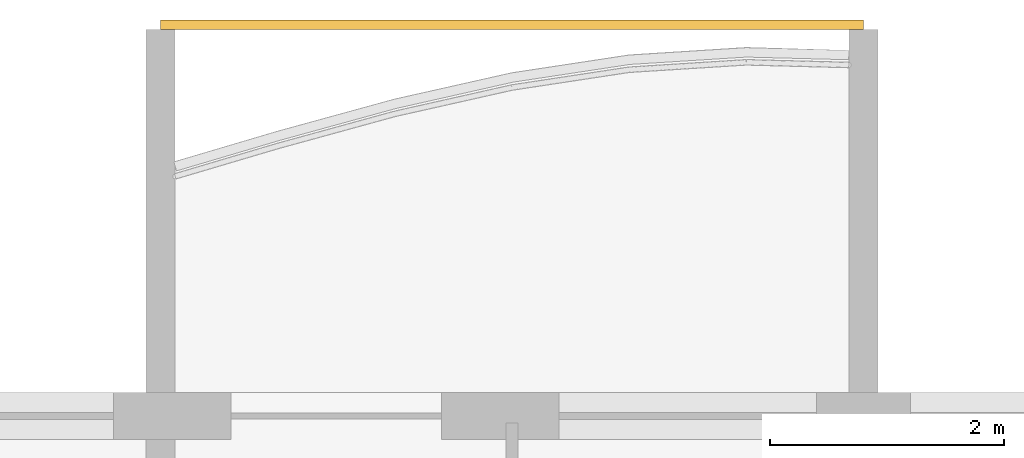
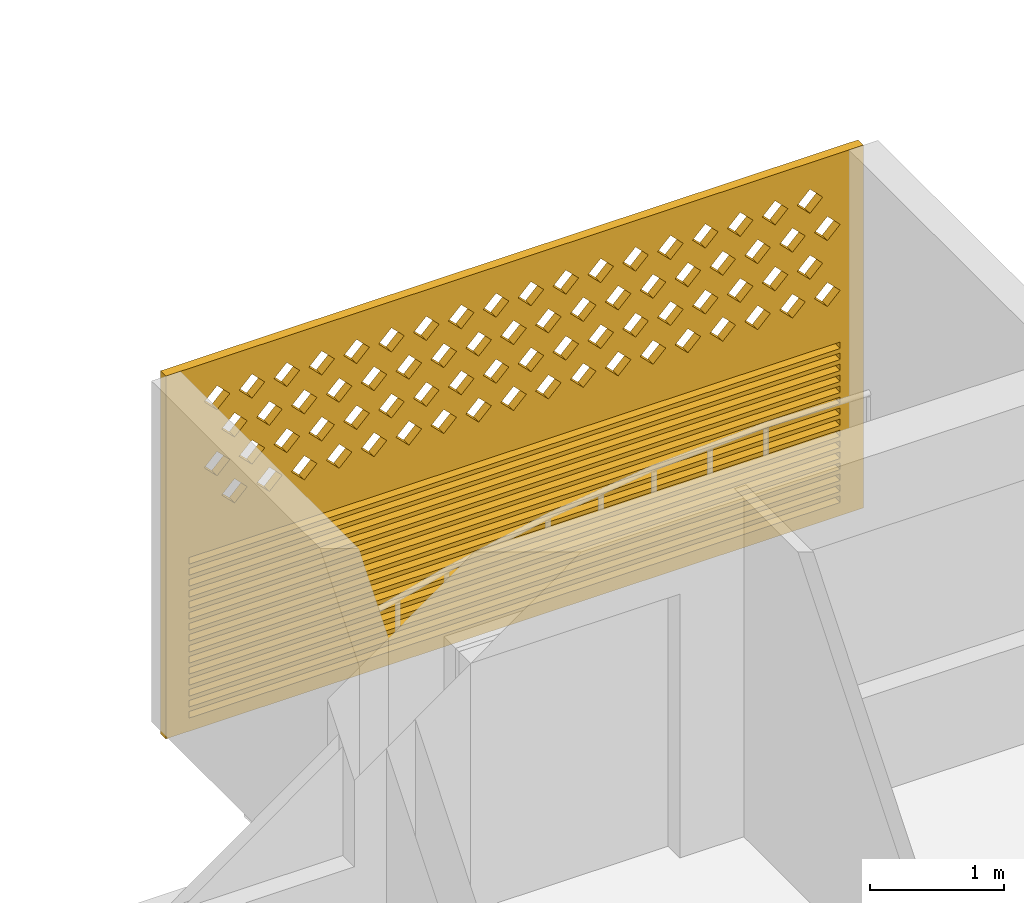
# One storey, part 18 of 26: 1 covering.
"""IFC4 building model written with IfcOpenShell, lengths in metres."""

import ifcopenshell
import ifcopenshell.guid

model = None  # the IFC model being written
_history = None  # IfcOwnerHistory: only IFC2X3 demands one
_inside = {}  # id of a spatial element -> (the spatial element, [elements in it])
_under = {}  # id of a project, library or spatial element -> (it, [spatial elements below it])
_declared = {}  # id of a project -> (the project, [libraries it declares])
_typed = {}  # id of a type object -> (the type object, [elements of that type])
_made_of = {}  # id of a material, layer set ... -> (it, [elements and type objects made of it])


def new_model(schema):
    """Start an empty IFC model of exactly this schema.

    Asked for "IFC4X3", IfcOpenShell would pick the latest addendum, in which some entities
    have other attributes; the version numbers below select the first issue.
    IFC2X3 requires an IfcOwnerHistory on every rooted entity: one is made here for all.
    """
    global model, _history
    if schema == "IFC4X3":
        model = ifcopenshell.file(schema_version=(4, 3, 0, 0))
    else:
        model = ifcopenshell.file(schema=schema)
    _inside.clear()
    _under.clear()
    _declared.clear()
    _typed.clear()
    _made_of.clear()
    _history = None
    if model.schema == "IFC2X3":
        org = make("IfcOrganization", Name="unknown")
        user = make(
            "IfcPersonAndOrganization",
            ThePerson=make("IfcPerson", FamilyName="unknown"),
            TheOrganization=org,
        )
        app = make(
            "IfcApplication",
            ApplicationDeveloper=org,
            Version="unknown",
            ApplicationFullName="unknown",
            ApplicationIdentifier="unknown",
        )
        _history = make(
            "IfcOwnerHistory",
            OwningUser=user,
            OwningApplication=app,
            ChangeAction="ADDED",
            CreationDate=0,
        )
    return model


def make(cls, **values):
    """One entity of the class cls with the attributes given. An attribute that is None is left unset."""
    return model.create_entity(
        cls, **{name: value for name, value in values.items() if value is not None}
    )


def rooted(cls, **values):
    """An entity with a GlobalId (a new one), such as an element, a storey or a relation."""
    return make(cls, GlobalId=ifcopenshell.guid.new(), OwnerHistory=_history, **values)


def si_unit(unit_type, name, prefix=None):
    """IfcSIUnit, for example si_unit("LENGTHUNIT", "METRE", prefix="MILLI")."""
    return make("IfcSIUnit", UnitType=unit_type, Prefix=prefix, Name=name)


def assignment(units):
    """IfcUnitAssignment: the units of a project."""
    return None if units is None else make("IfcUnitAssignment", Units=units)


def point(xyz):
    """IfcCartesianPoint."""
    return None if xyz is None else make("IfcCartesianPoint", Coordinates=xyz)


def direction(xyz):
    """IfcDirection."""
    return None if xyz is None else make("IfcDirection", DirectionRatios=xyz)


def frame(location, z_axis=None, x_axis=None):
    """IfcAxis2Placement3D, a coordinate frame: its origin and axes. An axis left out is left unset."""
    return make(
        "IfcAxis2Placement3D",
        Location=point(location),
        Axis=direction(z_axis),
        RefDirection=direction(x_axis),
    )


def origin():
    """The frame at (0, 0, 0) with its axes left unset."""
    return frame((0.0, 0.0, 0.0))


def place(relative_to, where):
    """IfcLocalPlacement: puts the frame where relative to a parent placement (None: the world)."""
    return make(
        "IfcLocalPlacement", PlacementRelTo=relative_to, RelativePlacement=where
    )


def context(
    kind, dimensions, precision=None, world=None, true_north=None, identifier=None
):
    """IfcGeometricRepresentationContext, for example the 3D "Model" context."""
    return make(
        "IfcGeometricRepresentationContext",
        ContextIdentifier=identifier,
        ContextType=kind,
        CoordinateSpaceDimension=dimensions,
        Precision=precision,
        WorldCoordinateSystem=world,
        TrueNorth=true_north,
    )


def subcontext(parent, identifier, kind, view, scale=None):
    """IfcGeometricRepresentationSubContext, for example "Body" below "Model"."""
    return make(
        "IfcGeometricRepresentationSubContext",
        ContextIdentifier=identifier,
        ContextType=kind,
        ParentContext=parent,
        TargetScale=scale,
        TargetView=view,
    )


def project(units=None, contexts=None):
    """IfcProject with its units and contexts."""
    return rooted(
        "IfcProject",
        Name="project",
        RepresentationContexts=contexts,
        UnitsInContext=assignment(units),
    )


def spatial(cls, under=None, at=None, **own):
    """A site, building, storey or space (cls), placed at a placement, below another one or the project."""
    s = rooted(cls, ObjectPlacement=at, **own)
    if under is not None:
        _under.setdefault(under.id(), (under, []))[1].append(s)
    return s


def polyline(points):
    """IfcPolyline through the points."""
    return make("IfcPolyline", Points=[point(p) for p in points])


def outline(outer, holes=None, kind="AREA"):
    """IfcArbitraryClosedProfileDef: a profile drawn as a closed curve; with holes, ...WithVoids."""
    if holes is None:
        return make("IfcArbitraryClosedProfileDef", ProfileType=kind, OuterCurve=outer)
    return make(
        "IfcArbitraryProfileDefWithVoids",
        ProfileType=kind,
        OuterCurve=outer,
        InnerCurves=holes,
    )


def extrude(swept, where, along, depth):
    """IfcExtrudedAreaSolid: the profile swept, set in the frame where, extruded along a direction by depth."""
    return make(
        "IfcExtrudedAreaSolid",
        SweptArea=swept,
        Position=where,
        ExtrudedDirection=direction(along),
        Depth=depth,
    )


def shape(context_of_items, identifier, shape_type, items):
    """IfcShapeRepresentation: the items that make up one representation, for example the "Body"."""
    return make(
        "IfcShapeRepresentation",
        ContextOfItems=context_of_items,
        RepresentationIdentifier=identifier,
        RepresentationType=shape_type,
        Items=items,
    )


def source(mapping_origin, context_of_items, identifier, shape_type, items):
    """IfcRepresentationMap: a shape defined once, which mapped items show again and again."""
    return make(
        "IfcRepresentationMap",
        MappingOrigin=mapping_origin,
        MappedRepresentation=shape(context_of_items, identifier, shape_type, items),
    )


def transform(
    local_origin,
    x_axis=None,
    y_axis=None,
    z_axis=None,
    scale=None,
    scale2=None,
    scale3=None,
    uniform=True,
):
    """IfcCartesianTransformationOperator3D, or its non-uniform kind. x_axis, y_axis, z_axis: its Axis1, 2, 3."""
    if uniform:
        return make(
            "IfcCartesianTransformationOperator3D",
            Axis1=direction(x_axis),
            Axis2=direction(y_axis),
            LocalOrigin=point(local_origin),
            Scale=scale,
            Axis3=direction(z_axis),
        )
    return make(
        "IfcCartesianTransformationOperator3DnonUniform",
        Axis1=direction(x_axis),
        Axis2=direction(y_axis),
        LocalOrigin=point(local_origin),
        Scale=scale,
        Axis3=direction(z_axis),
        Scale2=scale2,
        Scale3=scale3,
    )


def mapped(mapping_source, mapping_target):
    """IfcMappedItem: shows the shape of a source again, moved by a transform."""
    return make(
        "IfcMappedItem", MappingSource=mapping_source, MappingTarget=mapping_target
    )


def material(Name=None, Category=None):
    """IfcMaterial."""
    return make("IfcMaterial", Name=Name, Category=Category)


def material_profile(
    of_material, cross_section, Name=None, Category=None, Priority=None
):
    """IfcMaterialProfile: a cross section and its material."""
    return make(
        "IfcMaterialProfile",
        Name=Name,
        Material=of_material,
        Profile=cross_section,
        Priority=Priority,
        Category=Category,
    )


def profile_set(profiles, Name=None, composite=None):
    """IfcMaterialProfileSet."""
    return make(
        "IfcMaterialProfileSet",
        Name=Name,
        MaterialProfiles=profiles,
        CompositeProfile=composite,
    )


def made_of(thing, what):
    """Note that an element or type object is made of a material, layer set ...; save() writes the relation."""
    if what is not None:
        _made_of.setdefault(what.id(), (what, []))[1].append(thing)
    return thing


def type_object(cls, material=None, **own):
    """A type object (cls), such as IfcWallType, which elements share."""
    return made_of(rooted(cls, **own), material)


def element(
    cls,
    number,
    at=None,
    inside=None,
    cuts=None,
    type_object=None,
    material=None,
    context=None,
    identifier="Body",
    shape_type=None,
    held_by="IfcProductDefinitionShape",
    body=None,
    shapes=None,
    **own,
):
    """One element of the class cls, such as IfcWall. Its Tag is "e" and its number.

    at: its placement. inside: the storey or other place that contains it. cuts: it is an
    opening in that element (IfcRelVoidsElement). A single representation is given by context,
    identifier, shape_type and body (its items); several are given by shapes. held_by: the class
    of the entity that holds the representations. save() writes the other relations.
    """
    e = rooted(cls, Tag="e%d" % number, ObjectPlacement=at, **own)
    if body is not None:
        shapes = [shape(context, identifier, shape_type, body)]
    if shapes is not None:
        e.Representation = make(held_by, Representations=shapes)
    if inside is not None:
        _inside.setdefault(inside.id(), (inside, []))[1].append(e)
    if cuts is not None:
        rooted(
            "IfcRelVoidsElement", RelatingBuildingElement=cuts, RelatedOpeningElement=e
        )
    if type_object is not None:
        _typed.setdefault(type_object.id(), (type_object, []))[1].append(e)
    return made_of(e, material)


def aggregate(whole, parts):
    """IfcRelAggregates: a whole, such as a stair, and the parts it consists of."""
    return rooted("IfcRelAggregates", RelatingObject=whole, RelatedObjects=parts)


def save(model, path):
    """Write the relations noted so far, then the file.

    IfcRelAggregates (storeys below a building ...), IfcRelContainedInSpatialStructure (elements
    in a storey), IfcRelDefinesByType, IfcRelAssociatesMaterial and IfcRelDeclares: one each for
    every whole, place, type object, material and project.
    """
    for whole, parts in _under.values():
        aggregate(whole, parts)
    for where, things in _inside.values():
        rooted(
            "IfcRelContainedInSpatialStructure",
            RelatedElements=things,
            RelatingStructure=where,
        )
    for kind, things in _typed.values():
        rooted("IfcRelDefinesByType", RelatedObjects=things, RelatingType=kind)
    for what, things in _made_of.values():
        rooted("IfcRelAssociatesMaterial", RelatedObjects=things, RelatingMaterial=what)
    for by, libraries in _declared.values():
        rooted("IfcRelDeclares", RelatingContext=by, RelatedDefinitions=libraries)
    model.write(path)


model = new_model("IFC4")

# Units and contexts
model_context = context("Model", 3, precision=1e-05, world=origin(), true_north=direction((0.0, 1.0)))
body_context = subcontext(model_context, "Body", "Model", "MODEL_VIEW")
ifc_project = project(units=[si_unit("LENGTHUNIT", "METRE"), si_unit("AREAUNIT", "SQUARE_METRE"), si_unit("VOLUMEUNIT", "CUBIC_METRE"), si_unit("PLANEANGLEUNIT", "RADIAN"), si_unit("MASSUNIT", "GRAM", prefix="KILO")], contexts=[model_context])

# Site, building, storey
site_placement = place(None, origin())
site = spatial("IfcSite", under=ifc_project, at=site_placement, CompositionType="ELEMENT")
building_placement = place(site_placement, origin())
building = spatial("IfcBuilding", under=site, at=building_placement, Name="Poui Terraces", CompositionType="ELEMENT")
storey_placement = place(building_placement, frame((0.0, 0.0, 175.199951171875)))
storey = spatial("IfcBuildingStorey", under=building, at=storey_placement, Name="L48", CompositionType="ELEMENT", Elevation=175.199951171875)

# Covering
ifc_material = material(Name="Terracotta screen", Category="masonry")
ifc_material_profile = material_profile(ifc_material, outline(polyline([(-3.0, -1.64990234375), (3.0, -1.64990234375), (3.0, 1.64990234375), (-3.0, 1.64990234375), (-3.0, -1.64990234375)]), holes=[polyline([(-2.800048828125, 0.39990234375), (-2.68994140625, 0.2900390625), (-2.580078125, 0.39990234375), (-2.68994140625, 0.510009765625), (-2.800048828125, 0.39990234375)]), polyline([(-2.5, 0.39990234375), (-2.389892578125, 0.2900390625), (-2.280029296875, 0.39990234375), (-2.389892578125, 0.510009765625), (-2.5, 0.39990234375)]), polyline([(-2.199951171875, 0.39990234375), (-2.090087890625, 0.2900390625), (-1.97998046875, 0.39990234375), (-2.090087890625, 0.510009765625), (-2.199951171875, 0.39990234375)]), polyline([(-1.89990234375, 0.39990234375), (-1.7900390625, 0.2900390625), (-1.679931640625, 0.39990234375), (-1.7900390625, 0.510009765625), (-1.89990234375, 0.39990234375)]), polyline([(-1.60009765625, 0.39990234375), (-1.489990234375, 0.2900390625), (-1.3798828125, 0.39990234375), (-1.489990234375, 0.510009765625), (-1.60009765625, 0.39990234375)]), polyline([(-1.300048828125, 0.39990234375), (-1.18994140625, 0.2900390625), (-1.080078125, 0.39990234375), (-1.18994140625, 0.510009765625), (-1.300048828125, 0.39990234375)]), polyline([(-1.0, 0.39990234375), (-0.889892578125, 0.2900390625), (-0.780029296875, 0.39990234375), (-0.889892578125, 0.510009765625), (-1.0, 0.39990234375)]), polyline([(-0.699951171875, 0.39990234375), (-0.590087890625, 0.2900390625), (-0.47998046875, 0.39990234375), (-0.590087890625, 0.510009765625), (-0.699951171875, 0.39990234375)]), polyline([(-0.39990234375, 0.39990234375), (-0.2900390625, 0.2900390625), (-0.179931640625, 0.39990234375), (-0.2900390625, 0.510009765625), (-0.39990234375, 0.39990234375)]), polyline([(-0.10009765625, 0.39990234375), (0.010009765625, 0.2900390625), (0.1201171875, 0.39990234375), (0.010009765625, 0.510009765625), (-0.10009765625, 0.39990234375)]), polyline([(0.199951171875, 0.39990234375), (0.31005859375, 0.2900390625), (0.419921875, 0.39990234375), (0.31005859375, 0.510009765625), (0.199951171875, 0.39990234375)]), polyline([(0.5, 0.39990234375), (0.610107421875, 0.2900390625), (0.719970703125, 0.39990234375), (0.610107421875, 0.510009765625), (0.5, 0.39990234375)]), polyline([(0.800048828125, 0.39990234375), (0.909912109375, 0.2900390625), (1.02001953125, 0.39990234375), (0.909912109375, 0.510009765625), (0.800048828125, 0.39990234375)]), polyline([(1.10009765625, 0.39990234375), (1.2099609375, 0.2900390625), (1.320068359375, 0.39990234375), (1.2099609375, 0.510009765625), (1.10009765625, 0.39990234375)]), polyline([(1.39990234375, 0.39990234375), (1.510009765625, 0.2900390625), (1.6201171875, 0.39990234375), (1.510009765625, 0.510009765625), (1.39990234375, 0.39990234375)]), polyline([(1.699951171875, 0.39990234375), (1.81005859375, 0.2900390625), (1.919921875, 0.39990234375), (1.81005859375, 0.510009765625), (1.699951171875, 0.39990234375)]), polyline([(2.0, 0.39990234375), (2.110107421875, 0.2900390625), (2.219970703125, 0.39990234375), (2.110107421875, 0.510009765625), (2.0, 0.39990234375)]), polyline([(2.300048828125, 0.39990234375), (2.409912109375, 0.2900390625), (2.52001953125, 0.39990234375), (2.409912109375, 0.510009765625), (2.300048828125, 0.39990234375)]), polyline([(-2.64990234375, 0.699951171875), (-2.5400390625, 0.590087890625), (-2.429931640625, 0.699951171875), (-2.5400390625, 0.81005859375), (-2.64990234375, 0.699951171875)]), polyline([(-2.35009765625, 0.699951171875), (-2.239990234375, 0.590087890625), (-2.1298828125, 0.699951171875), (-2.239990234375, 0.81005859375), (-2.35009765625, 0.699951171875)]), polyline([(-2.050048828125, 0.699951171875), (-1.93994140625, 0.590087890625), (-1.830078125, 0.699951171875), (-1.93994140625, 0.81005859375), (-2.050048828125, 0.699951171875)]), polyline([(-1.75, 0.699951171875), (-1.639892578125, 0.590087890625), (-1.530029296875, 0.699951171875), (-1.639892578125, 0.81005859375), (-1.75, 0.699951171875)]), polyline([(-1.449951171875, 0.699951171875), (-1.340087890625, 0.590087890625), (-1.22998046875, 0.699951171875), (-1.340087890625, 0.81005859375), (-1.449951171875, 0.699951171875)]), polyline([(-1.14990234375, 0.699951171875), (-1.0400390625, 0.590087890625), (-0.929931640625, 0.699951171875), (-1.0400390625, 0.81005859375), (-1.14990234375, 0.699951171875)]), polyline([(-0.85009765625, 0.699951171875), (-0.739990234375, 0.590087890625), (-0.6298828125, 0.699951171875), (-0.739990234375, 0.81005859375), (-0.85009765625, 0.699951171875)]), polyline([(-0.550048828125, 0.699951171875), (-0.43994140625, 0.590087890625), (-0.330078125, 0.699951171875), (-0.43994140625, 0.81005859375), (-0.550048828125, 0.699951171875)]), polyline([(-0.25, 0.699951171875), (-0.139892578125, 0.590087890625), (-0.030029296875, 0.699951171875), (-0.139892578125, 0.81005859375), (-0.25, 0.699951171875)]), polyline([(0.050048828125, 0.699951171875), (0.159912109375, 0.590087890625), (0.27001953125, 0.699951171875), (0.159912109375, 0.81005859375), (0.050048828125, 0.699951171875)]), polyline([(0.35009765625, 0.699951171875), (0.4599609375, 0.590087890625), (0.570068359375, 0.699951171875), (0.4599609375, 0.81005859375), (0.35009765625, 0.699951171875)]), polyline([(0.64990234375, 0.699951171875), (0.760009765625, 0.590087890625), (0.8701171875, 0.699951171875), (0.760009765625, 0.81005859375), (0.64990234375, 0.699951171875)]), polyline([(0.949951171875, 0.699951171875), (1.06005859375, 0.590087890625), (1.169921875, 0.699951171875), (1.06005859375, 0.81005859375), (0.949951171875, 0.699951171875)]), polyline([(1.25, 0.699951171875), (1.360107421875, 0.590087890625), (1.469970703125, 0.699951171875), (1.360107421875, 0.81005859375), (1.25, 0.699951171875)]), polyline([(1.550048828125, 0.699951171875), (1.659912109375, 0.590087890625), (1.77001953125, 0.699951171875), (1.659912109375, 0.81005859375), (1.550048828125, 0.699951171875)]), polyline([(1.85009765625, 0.699951171875), (1.9599609375, 0.590087890625), (2.070068359375, 0.699951171875), (1.9599609375, 0.81005859375), (1.85009765625, 0.699951171875)]), polyline([(2.14990234375, 0.699951171875), (2.260009765625, 0.590087890625), (2.3701171875, 0.699951171875), (2.260009765625, 0.81005859375), (2.14990234375, 0.699951171875)]), polyline([(2.449951171875, 0.699951171875), (2.56005859375, 0.590087890625), (2.669921875, 0.699951171875), (2.56005859375, 0.81005859375), (2.449951171875, 0.699951171875)]), polyline([(-2.800048828125, 1.0), (-2.68994140625, 0.889892578125), (-2.580078125, 1.0), (-2.68994140625, 1.110107421875), (-2.800048828125, 1.0)]), polyline([(-2.5, 1.0), (-2.389892578125, 0.889892578125), (-2.280029296875, 1.0), (-2.389892578125, 1.110107421875), (-2.5, 1.0)]), polyline([(-2.199951171875, 1.0), (-2.090087890625, 0.889892578125), (-1.97998046875, 1.0), (-2.090087890625, 1.110107421875), (-2.199951171875, 1.0)]), polyline([(-1.89990234375, 1.0), (-1.7900390625, 0.889892578125), (-1.679931640625, 1.0), (-1.7900390625, 1.110107421875), (-1.89990234375, 1.0)]), polyline([(-1.60009765625, 1.0), (-1.489990234375, 0.889892578125), (-1.3798828125, 1.0), (-1.489990234375, 1.110107421875), (-1.60009765625, 1.0)]), polyline([(-1.300048828125, 1.0), (-1.18994140625, 0.889892578125), (-1.080078125, 1.0), (-1.18994140625, 1.110107421875), (-1.300048828125, 1.0)]), polyline([(-1.0, 1.0), (-0.889892578125, 0.889892578125), (-0.780029296875, 1.0), (-0.889892578125, 1.110107421875), (-1.0, 1.0)]), polyline([(-0.699951171875, 1.0), (-0.590087890625, 0.889892578125), (-0.47998046875, 1.0), (-0.590087890625, 1.110107421875), (-0.699951171875, 1.0)]), polyline([(-0.39990234375, 1.0), (-0.2900390625, 0.889892578125), (-0.179931640625, 1.0), (-0.2900390625, 1.110107421875), (-0.39990234375, 1.0)]), polyline([(-0.10009765625, 1.0), (0.010009765625, 0.889892578125), (0.1201171875, 1.0), (0.010009765625, 1.110107421875), (-0.10009765625, 1.0)]), polyline([(0.199951171875, 1.0), (0.31005859375, 0.889892578125), (0.419921875, 1.0), (0.31005859375, 1.110107421875), (0.199951171875, 1.0)]), polyline([(0.5, 1.0), (0.610107421875, 0.889892578125), (0.719970703125, 1.0), (0.610107421875, 1.110107421875), (0.5, 1.0)]), polyline([(0.800048828125, 1.0), (0.909912109375, 0.889892578125), (1.02001953125, 1.0), (0.909912109375, 1.110107421875), (0.800048828125, 1.0)]), polyline([(1.10009765625, 1.0), (1.2099609375, 0.889892578125), (1.320068359375, 1.0), (1.2099609375, 1.110107421875), (1.10009765625, 1.0)]), polyline([(1.39990234375, 1.0), (1.510009765625, 0.889892578125), (1.6201171875, 1.0), (1.510009765625, 1.110107421875), (1.39990234375, 1.0)]), polyline([(1.699951171875, 1.0), (1.81005859375, 0.889892578125), (1.919921875, 1.0), (1.81005859375, 1.110107421875), (1.699951171875, 1.0)]), polyline([(2.0, 1.0), (2.110107421875, 0.889892578125), (2.219970703125, 1.0), (2.110107421875, 1.110107421875), (2.0, 1.0)]), polyline([(2.300048828125, 1.0), (2.409912109375, 0.889892578125), (2.52001953125, 1.0), (2.409912109375, 1.110107421875), (2.300048828125, 1.0)]), polyline([(-2.64990234375, 1.300048828125), (-2.5400390625, 1.18994140625), (-2.429931640625, 1.300048828125), (-2.5400390625, 1.409912109375), (-2.64990234375, 1.300048828125)]), polyline([(-2.35009765625, 1.300048828125), (-2.239990234375, 1.18994140625), (-2.1298828125, 1.300048828125), (-2.239990234375, 1.409912109375), (-2.35009765625, 1.300048828125)]), polyline([(-2.050048828125, 1.300048828125), (-1.93994140625, 1.18994140625), (-1.830078125, 1.300048828125), (-1.93994140625, 1.409912109375), (-2.050048828125, 1.300048828125)]), polyline([(-1.75, 1.300048828125), (-1.639892578125, 1.18994140625), (-1.530029296875, 1.300048828125), (-1.639892578125, 1.409912109375), (-1.75, 1.300048828125)]), polyline([(-1.449951171875, 1.300048828125), (-1.340087890625, 1.18994140625), (-1.22998046875, 1.300048828125), (-1.340087890625, 1.409912109375), (-1.449951171875, 1.300048828125)]), polyline([(-1.14990234375, 1.300048828125), (-1.0400390625, 1.18994140625), (-0.929931640625, 1.300048828125), (-1.0400390625, 1.409912109375), (-1.14990234375, 1.300048828125)]), polyline([(-0.85009765625, 1.300048828125), (-0.739990234375, 1.18994140625), (-0.6298828125, 1.300048828125), (-0.739990234375, 1.409912109375), (-0.85009765625, 1.300048828125)]), polyline([(-0.550048828125, 1.300048828125), (-0.43994140625, 1.18994140625), (-0.330078125, 1.300048828125), (-0.43994140625, 1.409912109375), (-0.550048828125, 1.300048828125)]), polyline([(-0.25, 1.300048828125), (-0.139892578125, 1.18994140625), (-0.030029296875, 1.300048828125), (-0.139892578125, 1.409912109375), (-0.25, 1.300048828125)]), polyline([(0.050048828125, 1.300048828125), (0.159912109375, 1.18994140625), (0.27001953125, 1.300048828125), (0.159912109375, 1.409912109375), (0.050048828125, 1.300048828125)]), polyline([(0.35009765625, 1.300048828125), (0.4599609375, 1.18994140625), (0.570068359375, 1.300048828125), (0.4599609375, 1.409912109375), (0.35009765625, 1.300048828125)]), polyline([(0.64990234375, 1.300048828125), (0.760009765625, 1.18994140625), (0.8701171875, 1.300048828125), (0.760009765625, 1.409912109375), (0.64990234375, 1.300048828125)]), polyline([(0.949951171875, 1.300048828125), (1.06005859375, 1.18994140625), (1.169921875, 1.300048828125), (1.06005859375, 1.409912109375), (0.949951171875, 1.300048828125)]), polyline([(1.25, 1.300048828125), (1.360107421875, 1.18994140625), (1.469970703125, 1.300048828125), (1.360107421875, 1.409912109375), (1.25, 1.300048828125)]), polyline([(1.550048828125, 1.300048828125), (1.659912109375, 1.18994140625), (1.77001953125, 1.300048828125), (1.659912109375, 1.409912109375), (1.550048828125, 1.300048828125)]), polyline([(1.85009765625, 1.300048828125), (1.9599609375, 1.18994140625), (2.070068359375, 1.300048828125), (1.9599609375, 1.409912109375), (1.85009765625, 1.300048828125)]), polyline([(2.14990234375, 1.300048828125), (2.260009765625, 1.18994140625), (2.3701171875, 1.300048828125), (2.260009765625, 1.409912109375), (2.14990234375, 1.300048828125)]), polyline([(2.449951171875, 1.300048828125), (2.56005859375, 1.18994140625), (2.669921875, 1.300048828125), (2.56005859375, 1.409912109375), (2.449951171875, 1.300048828125)]), polyline([(-2.800048828125, -1.530029296875), (2.800048828125, -1.530029296875), (2.800048828125, -1.469970703125), (-2.800048828125, -1.469970703125), (-2.800048828125, -1.530029296875)]), polyline([(-2.800048828125, -1.429931640625), (2.800048828125, -1.429931640625), (2.800048828125, -1.3701171875), (-2.800048828125, -1.3701171875), (-2.800048828125, -1.429931640625)]), polyline([(-2.800048828125, -1.330078125), (2.800048828125, -1.330078125), (2.800048828125, -1.27001953125), (-2.800048828125, -1.27001953125), (-2.800048828125, -1.330078125)]), polyline([(-2.800048828125, -1.22998046875), (2.800048828125, -1.22998046875), (2.800048828125, -1.169921875), (-2.800048828125, -1.169921875), (-2.800048828125, -1.22998046875)]), polyline([(-2.800048828125, -1.1298828125), (2.800048828125, -1.1298828125), (2.800048828125, -1.070068359375), (-2.800048828125, -1.070068359375), (-2.800048828125, -1.1298828125)]), polyline([(-2.800048828125, -1.030029296875), (2.800048828125, -1.030029296875), (2.800048828125, -0.969970703125), (-2.800048828125, -0.969970703125), (-2.800048828125, -1.030029296875)]), polyline([(-2.800048828125, -0.929931640625), (2.800048828125, -0.929931640625), (2.800048828125, -0.8701171875), (-2.800048828125, -0.8701171875), (-2.800048828125, -0.929931640625)]), polyline([(-2.800048828125, -0.830078125), (2.800048828125, -0.830078125), (2.800048828125, -0.77001953125), (-2.800048828125, -0.77001953125), (-2.800048828125, -0.830078125)]), polyline([(-2.800048828125, -0.72998046875), (2.800048828125, -0.72998046875), (2.800048828125, -0.669921875), (-2.800048828125, -0.669921875), (-2.800048828125, -0.72998046875)]), polyline([(-2.800048828125, -0.6298828125), (2.800048828125, -0.6298828125), (2.800048828125, -0.570068359375), (-2.800048828125, -0.570068359375), (-2.800048828125, -0.6298828125)]), polyline([(-2.800048828125, -0.530029296875), (2.800048828125, -0.530029296875), (2.800048828125, -0.469970703125), (-2.800048828125, -0.469970703125), (-2.800048828125, -0.530029296875)]), polyline([(-2.800048828125, -0.429931640625), (2.800048828125, -0.429931640625), (2.800048828125, -0.3701171875), (-2.800048828125, -0.3701171875), (-2.800048828125, -0.429931640625)]), polyline([(-2.800048828125, -0.330078125), (2.800048828125, -0.330078125), (2.800048828125, -0.27001953125), (-2.800048828125, -0.27001953125), (-2.800048828125, -0.330078125)]), polyline([(-2.800048828125, -0.22998046875), (2.800048828125, -0.22998046875), (2.800048828125, -0.169921875), (-2.800048828125, -0.169921875), (-2.800048828125, -0.22998046875)]), polyline([(-2.800048828125, -0.1298828125), (2.800048828125, -0.1298828125), (2.800048828125, -0.070068359375), (-2.800048828125, -0.070068359375), (-2.800048828125, -0.1298828125)])]), Name="TERRACOTTA SCREEN AND JALOUSIE LOUVRE 6000X3300")
ifc_profile_set = profile_set([ifc_material_profile], Name="Terracotta screen")
covering_type = type_object("IfcCoveringType", Name="TERRACOTTA SCREEN AND JALOUSIE LOUVRE 6000X3300", PredefinedType="CLADDING", material=ifc_profile_set)
shared_shape = source(origin(), body_context, "Body", "SweptSolid", [
    extrude(outline(polyline([(-3.0, -1.64990234375), (3.0, -1.64990234375), (3.0, 1.64990234375), (-3.0, 1.64990234375), (-3.0, -1.64990234375)]), holes=[polyline([(-2.800048828125, 0.39990234375), (-2.68994140625, 0.2900390625), (-2.580078125, 0.39990234375), (-2.68994140625, 0.510009765625), (-2.800048828125, 0.39990234375)]), polyline([(-2.5, 0.39990234375), (-2.389892578125, 0.2900390625), (-2.280029296875, 0.39990234375), (-2.389892578125, 0.510009765625), (-2.5, 0.39990234375)]), polyline([(-2.199951171875, 0.39990234375), (-2.090087890625, 0.2900390625), (-1.97998046875, 0.39990234375), (-2.090087890625, 0.510009765625), (-2.199951171875, 0.39990234375)]), polyline([(-1.89990234375, 0.39990234375), (-1.7900390625, 0.2900390625), (-1.679931640625, 0.39990234375), (-1.7900390625, 0.510009765625), (-1.89990234375, 0.39990234375)]), polyline([(-1.60009765625, 0.39990234375), (-1.489990234375, 0.2900390625), (-1.3798828125, 0.39990234375), (-1.489990234375, 0.510009765625), (-1.60009765625, 0.39990234375)]), polyline([(-1.300048828125, 0.39990234375), (-1.18994140625, 0.2900390625), (-1.080078125, 0.39990234375), (-1.18994140625, 0.510009765625), (-1.300048828125, 0.39990234375)]), polyline([(-1.0, 0.39990234375), (-0.889892578125, 0.2900390625), (-0.780029296875, 0.39990234375), (-0.889892578125, 0.510009765625), (-1.0, 0.39990234375)]), polyline([(-0.699951171875, 0.39990234375), (-0.590087890625, 0.2900390625), (-0.47998046875, 0.39990234375), (-0.590087890625, 0.510009765625), (-0.699951171875, 0.39990234375)]), polyline([(-0.39990234375, 0.39990234375), (-0.2900390625, 0.2900390625), (-0.179931640625, 0.39990234375), (-0.2900390625, 0.510009765625), (-0.39990234375, 0.39990234375)]), polyline([(-0.10009765625, 0.39990234375), (0.010009765625, 0.2900390625), (0.1201171875, 0.39990234375), (0.010009765625, 0.510009765625), (-0.10009765625, 0.39990234375)]), polyline([(0.199951171875, 0.39990234375), (0.31005859375, 0.2900390625), (0.419921875, 0.39990234375), (0.31005859375, 0.510009765625), (0.199951171875, 0.39990234375)]), polyline([(0.5, 0.39990234375), (0.610107421875, 0.2900390625), (0.719970703125, 0.39990234375), (0.610107421875, 0.510009765625), (0.5, 0.39990234375)]), polyline([(0.800048828125, 0.39990234375), (0.909912109375, 0.2900390625), (1.02001953125, 0.39990234375), (0.909912109375, 0.510009765625), (0.800048828125, 0.39990234375)]), polyline([(1.10009765625, 0.39990234375), (1.2099609375, 0.2900390625), (1.320068359375, 0.39990234375), (1.2099609375, 0.510009765625), (1.10009765625, 0.39990234375)]), polyline([(1.39990234375, 0.39990234375), (1.510009765625, 0.2900390625), (1.6201171875, 0.39990234375), (1.510009765625, 0.510009765625), (1.39990234375, 0.39990234375)]), polyline([(1.699951171875, 0.39990234375), (1.81005859375, 0.2900390625), (1.919921875, 0.39990234375), (1.81005859375, 0.510009765625), (1.699951171875, 0.39990234375)]), polyline([(2.0, 0.39990234375), (2.110107421875, 0.2900390625), (2.219970703125, 0.39990234375), (2.110107421875, 0.510009765625), (2.0, 0.39990234375)]), polyline([(2.300048828125, 0.39990234375), (2.409912109375, 0.2900390625), (2.52001953125, 0.39990234375), (2.409912109375, 0.510009765625), (2.300048828125, 0.39990234375)]), polyline([(-2.64990234375, 0.699951171875), (-2.5400390625, 0.590087890625), (-2.429931640625, 0.699951171875), (-2.5400390625, 0.81005859375), (-2.64990234375, 0.699951171875)]), polyline([(-2.35009765625, 0.699951171875), (-2.239990234375, 0.590087890625), (-2.1298828125, 0.699951171875), (-2.239990234375, 0.81005859375), (-2.35009765625, 0.699951171875)]), polyline([(-2.050048828125, 0.699951171875), (-1.93994140625, 0.590087890625), (-1.830078125, 0.699951171875), (-1.93994140625, 0.81005859375), (-2.050048828125, 0.699951171875)]), polyline([(-1.75, 0.699951171875), (-1.639892578125, 0.590087890625), (-1.530029296875, 0.699951171875), (-1.639892578125, 0.81005859375), (-1.75, 0.699951171875)]), polyline([(-1.449951171875, 0.699951171875), (-1.340087890625, 0.590087890625), (-1.22998046875, 0.699951171875), (-1.340087890625, 0.81005859375), (-1.449951171875, 0.699951171875)]), polyline([(-1.14990234375, 0.699951171875), (-1.0400390625, 0.590087890625), (-0.929931640625, 0.699951171875), (-1.0400390625, 0.81005859375), (-1.14990234375, 0.699951171875)]), polyline([(-0.85009765625, 0.699951171875), (-0.739990234375, 0.590087890625), (-0.6298828125, 0.699951171875), (-0.739990234375, 0.81005859375), (-0.85009765625, 0.699951171875)]), polyline([(-0.550048828125, 0.699951171875), (-0.43994140625, 0.590087890625), (-0.330078125, 0.699951171875), (-0.43994140625, 0.81005859375), (-0.550048828125, 0.699951171875)]), polyline([(-0.25, 0.699951171875), (-0.139892578125, 0.590087890625), (-0.030029296875, 0.699951171875), (-0.139892578125, 0.81005859375), (-0.25, 0.699951171875)]), polyline([(0.050048828125, 0.699951171875), (0.159912109375, 0.590087890625), (0.27001953125, 0.699951171875), (0.159912109375, 0.81005859375), (0.050048828125, 0.699951171875)]), polyline([(0.35009765625, 0.699951171875), (0.4599609375, 0.590087890625), (0.570068359375, 0.699951171875), (0.4599609375, 0.81005859375), (0.35009765625, 0.699951171875)]), polyline([(0.64990234375, 0.699951171875), (0.760009765625, 0.590087890625), (0.8701171875, 0.699951171875), (0.760009765625, 0.81005859375), (0.64990234375, 0.699951171875)]), polyline([(0.949951171875, 0.699951171875), (1.06005859375, 0.590087890625), (1.169921875, 0.699951171875), (1.06005859375, 0.81005859375), (0.949951171875, 0.699951171875)]), polyline([(1.25, 0.699951171875), (1.360107421875, 0.590087890625), (1.469970703125, 0.699951171875), (1.360107421875, 0.81005859375), (1.25, 0.699951171875)]), polyline([(1.550048828125, 0.699951171875), (1.659912109375, 0.590087890625), (1.77001953125, 0.699951171875), (1.659912109375, 0.81005859375), (1.550048828125, 0.699951171875)]), polyline([(1.85009765625, 0.699951171875), (1.9599609375, 0.590087890625), (2.070068359375, 0.699951171875), (1.9599609375, 0.81005859375), (1.85009765625, 0.699951171875)]), polyline([(2.14990234375, 0.699951171875), (2.260009765625, 0.590087890625), (2.3701171875, 0.699951171875), (2.260009765625, 0.81005859375), (2.14990234375, 0.699951171875)]), polyline([(2.449951171875, 0.699951171875), (2.56005859375, 0.590087890625), (2.669921875, 0.699951171875), (2.56005859375, 0.81005859375), (2.449951171875, 0.699951171875)]), polyline([(-2.800048828125, 1.0), (-2.68994140625, 0.889892578125), (-2.580078125, 1.0), (-2.68994140625, 1.110107421875), (-2.800048828125, 1.0)]), polyline([(-2.5, 1.0), (-2.389892578125, 0.889892578125), (-2.280029296875, 1.0), (-2.389892578125, 1.110107421875), (-2.5, 1.0)]), polyline([(-2.199951171875, 1.0), (-2.090087890625, 0.889892578125), (-1.97998046875, 1.0), (-2.090087890625, 1.110107421875), (-2.199951171875, 1.0)]), polyline([(-1.89990234375, 1.0), (-1.7900390625, 0.889892578125), (-1.679931640625, 1.0), (-1.7900390625, 1.110107421875), (-1.89990234375, 1.0)]), polyline([(-1.60009765625, 1.0), (-1.489990234375, 0.889892578125), (-1.3798828125, 1.0), (-1.489990234375, 1.110107421875), (-1.60009765625, 1.0)]), polyline([(-1.300048828125, 1.0), (-1.18994140625, 0.889892578125), (-1.080078125, 1.0), (-1.18994140625, 1.110107421875), (-1.300048828125, 1.0)]), polyline([(-1.0, 1.0), (-0.889892578125, 0.889892578125), (-0.780029296875, 1.0), (-0.889892578125, 1.110107421875), (-1.0, 1.0)]), polyline([(-0.699951171875, 1.0), (-0.590087890625, 0.889892578125), (-0.47998046875, 1.0), (-0.590087890625, 1.110107421875), (-0.699951171875, 1.0)]), polyline([(-0.39990234375, 1.0), (-0.2900390625, 0.889892578125), (-0.179931640625, 1.0), (-0.2900390625, 1.110107421875), (-0.39990234375, 1.0)]), polyline([(-0.10009765625, 1.0), (0.010009765625, 0.889892578125), (0.1201171875, 1.0), (0.010009765625, 1.110107421875), (-0.10009765625, 1.0)]), polyline([(0.199951171875, 1.0), (0.31005859375, 0.889892578125), (0.419921875, 1.0), (0.31005859375, 1.110107421875), (0.199951171875, 1.0)]), polyline([(0.5, 1.0), (0.610107421875, 0.889892578125), (0.719970703125, 1.0), (0.610107421875, 1.110107421875), (0.5, 1.0)]), polyline([(0.800048828125, 1.0), (0.909912109375, 0.889892578125), (1.02001953125, 1.0), (0.909912109375, 1.110107421875), (0.800048828125, 1.0)]), polyline([(1.10009765625, 1.0), (1.2099609375, 0.889892578125), (1.320068359375, 1.0), (1.2099609375, 1.110107421875), (1.10009765625, 1.0)]), polyline([(1.39990234375, 1.0), (1.510009765625, 0.889892578125), (1.6201171875, 1.0), (1.510009765625, 1.110107421875), (1.39990234375, 1.0)]), polyline([(1.699951171875, 1.0), (1.81005859375, 0.889892578125), (1.919921875, 1.0), (1.81005859375, 1.110107421875), (1.699951171875, 1.0)]), polyline([(2.0, 1.0), (2.110107421875, 0.889892578125), (2.219970703125, 1.0), (2.110107421875, 1.110107421875), (2.0, 1.0)]), polyline([(2.300048828125, 1.0), (2.409912109375, 0.889892578125), (2.52001953125, 1.0), (2.409912109375, 1.110107421875), (2.300048828125, 1.0)]), polyline([(-2.64990234375, 1.300048828125), (-2.5400390625, 1.18994140625), (-2.429931640625, 1.300048828125), (-2.5400390625, 1.409912109375), (-2.64990234375, 1.300048828125)]), polyline([(-2.35009765625, 1.300048828125), (-2.239990234375, 1.18994140625), (-2.1298828125, 1.300048828125), (-2.239990234375, 1.409912109375), (-2.35009765625, 1.300048828125)]), polyline([(-2.050048828125, 1.300048828125), (-1.93994140625, 1.18994140625), (-1.830078125, 1.300048828125), (-1.93994140625, 1.409912109375), (-2.050048828125, 1.300048828125)]), polyline([(-1.75, 1.300048828125), (-1.639892578125, 1.18994140625), (-1.530029296875, 1.300048828125), (-1.639892578125, 1.409912109375), (-1.75, 1.300048828125)]), polyline([(-1.449951171875, 1.300048828125), (-1.340087890625, 1.18994140625), (-1.22998046875, 1.300048828125), (-1.340087890625, 1.409912109375), (-1.449951171875, 1.300048828125)]), polyline([(-1.14990234375, 1.300048828125), (-1.0400390625, 1.18994140625), (-0.929931640625, 1.300048828125), (-1.0400390625, 1.409912109375), (-1.14990234375, 1.300048828125)]), polyline([(-0.85009765625, 1.300048828125), (-0.739990234375, 1.18994140625), (-0.6298828125, 1.300048828125), (-0.739990234375, 1.409912109375), (-0.85009765625, 1.300048828125)]), polyline([(-0.550048828125, 1.300048828125), (-0.43994140625, 1.18994140625), (-0.330078125, 1.300048828125), (-0.43994140625, 1.409912109375), (-0.550048828125, 1.300048828125)]), polyline([(-0.25, 1.300048828125), (-0.139892578125, 1.18994140625), (-0.030029296875, 1.300048828125), (-0.139892578125, 1.409912109375), (-0.25, 1.300048828125)]), polyline([(0.050048828125, 1.300048828125), (0.159912109375, 1.18994140625), (0.27001953125, 1.300048828125), (0.159912109375, 1.409912109375), (0.050048828125, 1.300048828125)]), polyline([(0.35009765625, 1.300048828125), (0.4599609375, 1.18994140625), (0.570068359375, 1.300048828125), (0.4599609375, 1.409912109375), (0.35009765625, 1.300048828125)]), polyline([(0.64990234375, 1.300048828125), (0.760009765625, 1.18994140625), (0.8701171875, 1.300048828125), (0.760009765625, 1.409912109375), (0.64990234375, 1.300048828125)]), polyline([(0.949951171875, 1.300048828125), (1.06005859375, 1.18994140625), (1.169921875, 1.300048828125), (1.06005859375, 1.409912109375), (0.949951171875, 1.300048828125)]), polyline([(1.25, 1.300048828125), (1.360107421875, 1.18994140625), (1.469970703125, 1.300048828125), (1.360107421875, 1.409912109375), (1.25, 1.300048828125)]), polyline([(1.550048828125, 1.300048828125), (1.659912109375, 1.18994140625), (1.77001953125, 1.300048828125), (1.659912109375, 1.409912109375), (1.550048828125, 1.300048828125)]), polyline([(1.85009765625, 1.300048828125), (1.9599609375, 1.18994140625), (2.070068359375, 1.300048828125), (1.9599609375, 1.409912109375), (1.85009765625, 1.300048828125)]), polyline([(2.14990234375, 1.300048828125), (2.260009765625, 1.18994140625), (2.3701171875, 1.300048828125), (2.260009765625, 1.409912109375), (2.14990234375, 1.300048828125)]), polyline([(2.449951171875, 1.300048828125), (2.56005859375, 1.18994140625), (2.669921875, 1.300048828125), (2.56005859375, 1.409912109375), (2.449951171875, 1.300048828125)]), polyline([(-2.800048828125, -1.530029296875), (2.800048828125, -1.530029296875), (2.800048828125, -1.469970703125), (-2.800048828125, -1.469970703125), (-2.800048828125, -1.530029296875)]), polyline([(-2.800048828125, -1.429931640625), (2.800048828125, -1.429931640625), (2.800048828125, -1.3701171875), (-2.800048828125, -1.3701171875), (-2.800048828125, -1.429931640625)]), polyline([(-2.800048828125, -1.330078125), (2.800048828125, -1.330078125), (2.800048828125, -1.27001953125), (-2.800048828125, -1.27001953125), (-2.800048828125, -1.330078125)]), polyline([(-2.800048828125, -1.22998046875), (2.800048828125, -1.22998046875), (2.800048828125, -1.169921875), (-2.800048828125, -1.169921875), (-2.800048828125, -1.22998046875)]), polyline([(-2.800048828125, -1.1298828125), (2.800048828125, -1.1298828125), (2.800048828125, -1.070068359375), (-2.800048828125, -1.070068359375), (-2.800048828125, -1.1298828125)]), polyline([(-2.800048828125, -1.030029296875), (2.800048828125, -1.030029296875), (2.800048828125, -0.969970703125), (-2.800048828125, -0.969970703125), (-2.800048828125, -1.030029296875)]), polyline([(-2.800048828125, -0.929931640625), (2.800048828125, -0.929931640625), (2.800048828125, -0.8701171875), (-2.800048828125, -0.8701171875), (-2.800048828125, -0.929931640625)]), polyline([(-2.800048828125, -0.830078125), (2.800048828125, -0.830078125), (2.800048828125, -0.77001953125), (-2.800048828125, -0.77001953125), (-2.800048828125, -0.830078125)]), polyline([(-2.800048828125, -0.72998046875), (2.800048828125, -0.72998046875), (2.800048828125, -0.669921875), (-2.800048828125, -0.669921875), (-2.800048828125, -0.72998046875)]), polyline([(-2.800048828125, -0.6298828125), (2.800048828125, -0.6298828125), (2.800048828125, -0.570068359375), (-2.800048828125, -0.570068359375), (-2.800048828125, -0.6298828125)]), polyline([(-2.800048828125, -0.530029296875), (2.800048828125, -0.530029296875), (2.800048828125, -0.469970703125), (-2.800048828125, -0.469970703125), (-2.800048828125, -0.530029296875)]), polyline([(-2.800048828125, -0.429931640625), (2.800048828125, -0.429931640625), (2.800048828125, -0.3701171875), (-2.800048828125, -0.3701171875), (-2.800048828125, -0.429931640625)]), polyline([(-2.800048828125, -0.330078125), (2.800048828125, -0.330078125), (2.800048828125, -0.27001953125), (-2.800048828125, -0.27001953125), (-2.800048828125, -0.330078125)]), polyline([(-2.800048828125, -0.22998046875), (2.800048828125, -0.22998046875), (2.800048828125, -0.169921875), (-2.800048828125, -0.169921875), (-2.800048828125, -0.22998046875)]), polyline([(-2.800048828125, -0.1298828125), (2.800048828125, -0.1298828125), (2.800048828125, -0.070068359375), (-2.800048828125, -0.070068359375), (-2.800048828125, -0.1298828125)])]), origin(), (0.0, 0.0, 1.0), 0.080078125),
])
covering_placement = place(storey_placement, frame((39.0, 44.5, 1.449951171875), z_axis=(0.0, 1.0, 0.0), x_axis=(-1.0, 0.0, 0.0)))
element("IfcCovering", 1, at=covering_placement, inside=storey, type_object=covering_type, Name="SOLAR SCREEN AND JALOUSIE LOUVRE", PredefinedType="CLADDING", context=body_context, shape_type="MappedRepresentation", body=[
    mapped(shared_shape, transform((0.0, 0.0, 0.0))),
])

save(model, "model.ifc")
